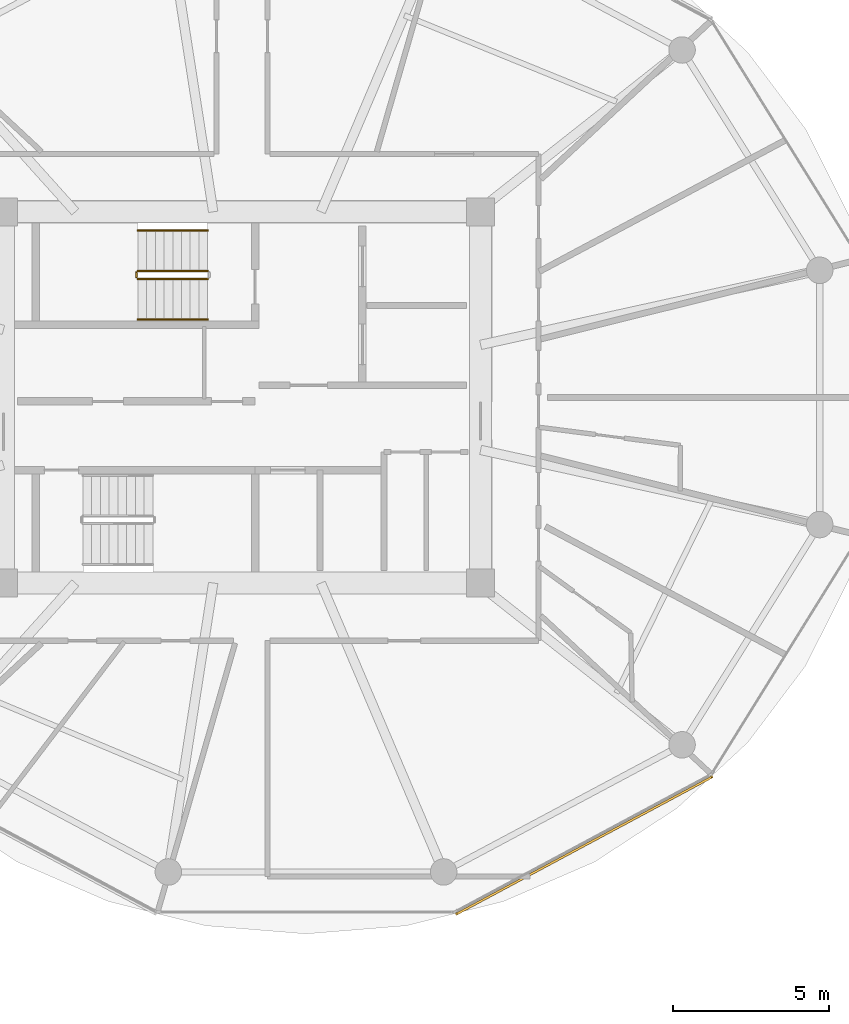
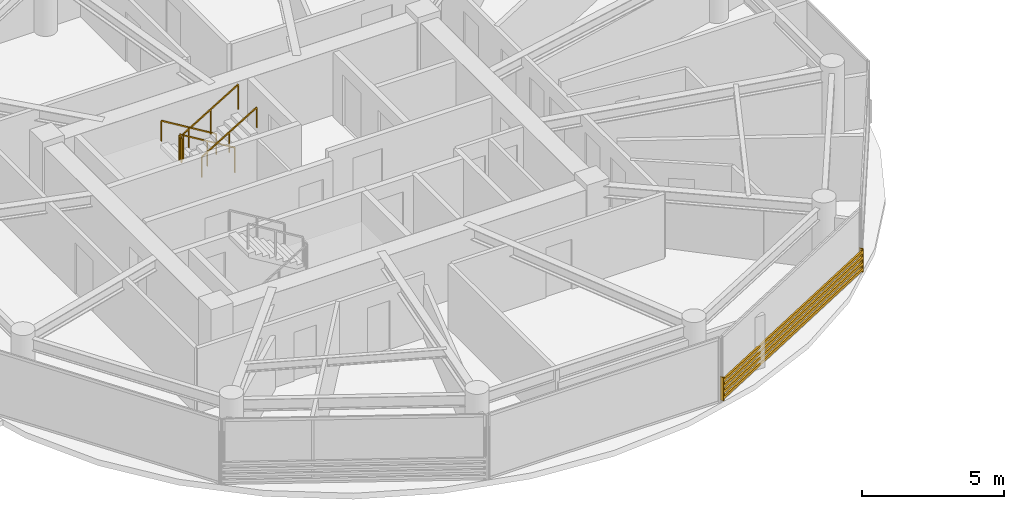
# One storey, part 20 of 24: 5 railings, 1 shading device.
"""IFC4 building model written with IfcOpenShell, lengths in metres."""

from ifc_helpers import new_model, si_unit, direction, frame, origin, origin_2d, place, context, subcontext, project, spatial, rectangle, extrude, source, transform, mapped, material, type_object, type_shapes, element, save


model = new_model("IFC4")

# Units and contexts
model_context = context("Model", 3, precision=1e-05, world=origin(), true_north=direction((0.0, 1.0)))
body_context = subcontext(model_context, "Body", "Model", "MODEL_VIEW")
ifc_project = project(units=[si_unit("LENGTHUNIT", "METRE"), si_unit("AREAUNIT", "SQUARE_METRE"), si_unit("VOLUMEUNIT", "CUBIC_METRE"), si_unit("PLANEANGLEUNIT", "RADIAN"), si_unit("MASSUNIT", "GRAM", prefix="KILO")], contexts=[model_context])

# Site, building, storey
site_placement = place(None, origin())
site = spatial("IfcSite", under=ifc_project, at=site_placement, CompositionType="ELEMENT")
building_placement = place(site_placement, origin())
building = spatial("IfcBuilding", under=site, at=building_placement, Name="Norrkilde Senior Care Towers", CompositionType="ELEMENT")
storey_placement = place(building_placement, frame((0.0, 0.0, 90.14990234375)))
storey = spatial("IfcBuildingStorey", under=building, at=storey_placement, Name="L27", CompositionType="ELEMENT", Elevation=90.14990234375)

# Railings
ifc_material_1 = material(Name="Stainless Steel", Category="steel")
railing_type_1 = type_object("IfcRailingType", Name="Stair and Terrace Guardrail 1100", PredefinedType="GUARDRAIL", material=ifc_material_1)
railing_1_placement = place(storey_placement, frame((-29.10009765625, 4.050048828125, 0.16943359375)))
element("IfcRailing", 1, at=railing_1_placement, inside=storey, type_object=railing_type_1, Name="L27 ST-W1 stair guard 1", PredefinedType="GUARDRAIL", context=body_context, shape_type="SweptSolid", body=[
    extrude(rectangle(XDim=0.048095703125, YDim=0.048095703125, at=origin_2d()), frame((0.0, 0.0, 1.076171875), z_axis=(-0.855512035549, 0.0, 0.517782924622), x_axis=(0.0, -1.0, 0.0)), (0.0, 0.0, 1.0), 2.618408203125),
    extrude(rectangle(XDim=0.0419921875, YDim=0.0419921875, at=origin_2d()), origin(), (0.0, 0.0, 1.0), 1.050048828125),
    extrude(rectangle(XDim=0.0419921875, YDim=0.0419921875, at=origin_2d()), frame((-1.1201171875, 0.0, 0.677734375)), (0.0, 0.0, 1.0), 1.050048828125),
    extrude(rectangle(XDim=0.0419921875, YDim=0.0419921875, at=origin_2d()), frame((-2.239990234375, 0.0, 1.355712890625)), (0.0, 0.0, 1.0), 1.050048828125),
])
railing_2_placement = place(storey_placement, frame((-31.389892578125, 4.0, 1.525146484375)))
element("IfcRailing", 2, at=railing_2_placement, inside=storey, type_object=railing_type_1, Name="L27 ST-W1 stair guard 2", PredefinedType="GUARDRAIL", context=body_context, shape_type="SweptSolid", body=[
    extrude(rectangle(XDim=0.048095703125, YDim=0.048095703125, at=origin_2d()), frame((0.0, 0.0, 1.076171875), z_axis=(0.0, -1.0, 0.0), x_axis=(1.0, 0.0, 0.0)), (0.0, 0.0, 1.0), 0.14990234375),
    extrude(rectangle(XDim=0.0419921875, YDim=0.0419921875, at=origin_2d()), origin(), (0.0, 0.0, 1.0), 1.050048828125),
    extrude(rectangle(XDim=0.0419921875, YDim=0.0419921875, at=origin_2d()), frame((0.0, -0.14990234375, 0.0)), (0.0, 0.0, 1.0), 1.050048828125),
])
railing_3_placement = place(storey_placement, frame((-31.340087890625, 3.800048828125, 1.694580078125)))
element("IfcRailing", 3, at=railing_3_placement, inside=storey, type_object=railing_type_1, Name="L27 ST-W1 stair guard 3", PredefinedType="GUARDRAIL", context=body_context, shape_type="SweptSolid", body=[
    extrude(rectangle(XDim=0.048095703125, YDim=0.048095703125, at=origin_2d()), frame((0.0, 0.0, 1.076171875), z_axis=(0.855553338991, 0.0, 0.51771467445), x_axis=(0.0, 1.0, 0.0)), (0.0, 0.0, 1.0), 2.6181640625),
    extrude(rectangle(XDim=0.0419921875, YDim=0.0419921875, at=origin_2d()), origin(), (0.0, 0.0, 1.0), 1.050048828125),
    extrude(rectangle(XDim=0.0419921875, YDim=0.0419921875, at=origin_2d()), frame((1.1201171875, 0.0, 0.677734375)), (0.0, 0.0, 1.0), 1.050048828125),
    extrude(rectangle(XDim=0.0419921875, YDim=0.0419921875, at=origin_2d()), frame((2.239990234375, 0.0, 1.35546875)), (0.0, 0.0, 1.0), 1.050048828125),
])
ifc_material_2 = material(Name="Nordic Ash Timber", Category="wood")
railing_type_2 = type_object("IfcRailingType", Name="Wall and Stair Handrail 900", PredefinedType="HANDRAIL", material=ifc_material_2)
railing_4_placement = place(storey_placement, frame((-29.10009765625, 5.35009765625, 0.16943359375)))
element("IfcRailing", 4, at=railing_4_placement, inside=storey, type_object=railing_type_2, Name="L27 ST-W1 stair handrail 1", PredefinedType="HANDRAIL", context=body_context, shape_type="SweptSolid", body=[
    extrude(rectangle(XDim=0.048095703125, YDim=0.048095703125, at=origin_2d()), frame((0.0, 0.0, 0.8759765625), z_axis=(-0.855512035549, 0.0, 0.517782924622), x_axis=(0.0, -1.0, 0.0)), (0.0, 0.0, 1.0), 2.618408203125),
    extrude(rectangle(XDim=0.0419921875, YDim=0.0419921875, at=origin_2d()), origin(), (0.0, 0.0, 1.0), 0.849853515625),
    extrude(rectangle(XDim=0.0419921875, YDim=0.0419921875, at=origin_2d()), frame((-1.1201171875, 0.0, 0.677734375)), (0.0, 0.0, 1.0), 0.849853515625),
    extrude(rectangle(XDim=0.0419921875, YDim=0.0419921875, at=origin_2d()), frame((-2.239990234375, 0.0, 1.355712890625)), (0.0, 0.0, 1.0), 0.849853515625),
])
railing_5_placement = place(storey_placement, frame((-31.340087890625, 2.5, 1.694580078125)))
element("IfcRailing", 5, at=railing_5_placement, inside=storey, type_object=railing_type_2, Name="L27 ST-W1 stair handrail 2", PredefinedType="HANDRAIL", context=body_context, shape_type="SweptSolid", body=[
    extrude(rectangle(XDim=0.048095703125, YDim=0.048095703125, at=origin_2d()), frame((0.0, 0.0, 0.8759765625), z_axis=(0.855553338991, 0.0, 0.51771467445), x_axis=(0.0, 1.0, 0.0)), (0.0, 0.0, 1.0), 2.6181640625),
    extrude(rectangle(XDim=0.0419921875, YDim=0.0419921875, at=origin_2d()), origin(), (0.0, 0.0, 1.0), 0.849853515625),
    extrude(rectangle(XDim=0.0419921875, YDim=0.0419921875, at=origin_2d()), frame((1.1201171875, 0.0, 0.677734375)), (0.0, 0.0, 1.0), 0.849853515625),
    extrude(rectangle(XDim=0.0419921875, YDim=0.0419921875, at=origin_2d()), frame((2.239990234375, 0.0, 1.35546875)), (0.0, 0.0, 1.0), 0.849853515625),
])

# Shading device
ifc_material_3 = material(Name="Architectural Terracotta", Category="masonry")
shading_device_type = type_object("IfcShadingDeviceType", Name="Horizontal Terracotta Baguette Rack", PredefinedType="USERDEFINED", material=ifc_material_3)
shared_shape = source(origin(), body_context, "Body", "SweptSolid", [
    extrude(rectangle(XDim=0.070068359375, YDim=0.110107421875, at=origin_2d()), frame((0.0, 0.090087890625, 0.125), z_axis=(1.0, 0.0, 0.0), x_axis=(0.0, 1.0, 0.0)), (0.0, 0.0, 1.0), 9.3505859375),
    extrude(rectangle(XDim=0.070068359375, YDim=0.110107421875, at=origin_2d()), frame((0.0, 0.090087890625, 0.375), z_axis=(1.0, 0.0, 0.0), x_axis=(0.0, 1.0, 0.0)), (0.0, 0.0, 1.0), 9.3505859375),
    extrude(rectangle(XDim=0.070068359375, YDim=0.110107421875, at=origin_2d()), frame((0.0, 0.090087890625, 0.625), z_axis=(1.0, 0.0, 0.0), x_axis=(0.0, 1.0, 0.0)), (0.0, 0.0, 1.0), 9.3505859375),
    extrude(rectangle(XDim=0.070068359375, YDim=0.110107421875, at=origin_2d()), frame((0.0, 0.090087890625, 0.875), z_axis=(1.0, 0.0, 0.0), x_axis=(0.0, 1.0, 0.0)), (0.0, 0.0, 1.0), 9.3505859375),
    extrude(rectangle(XDim=0.050048828125, YDim=0.1552734375, at=origin_2d()), frame((0.02490234375, 0.047607421875, 0.0)), (0.0, 0.0, 1.0), 1.0),
    extrude(rectangle(XDim=0.050048828125, YDim=0.1552734375, at=origin_2d()), frame((9.32568359375, 0.047607421875, 0.0)), (0.0, 0.0, 1.0), 1.0),
])
type_shapes(shading_device_type, [shared_shape])
shading_device_placement = place(storey_placement, frame((-12.953369140625, -12.077392578125, 0.080078125), z_axis=(0.0, 0.0, 1.0), x_axis=(-0.881174934726, -0.472767624021, 0.0)))
element("IfcShadingDevice", 6, at=shading_device_placement, inside=storey, type_object=shading_device_type, Name="L27 Drum W Terracotta Baguette Screen 09", ObjectType="BAGUETTE", PredefinedType="USERDEFINED", context=body_context, shape_type="MappedRepresentation", body=[
    mapped(shared_shape, transform((0.0, 0.0, 0.0), x_axis=(1.0, 0.0, 0.0), y_axis=(0.0, 1.0, 0.0), z_axis=(0.0, 0.0, 1.0), scale=1.0)),
])

save(model, "model.ifc")
